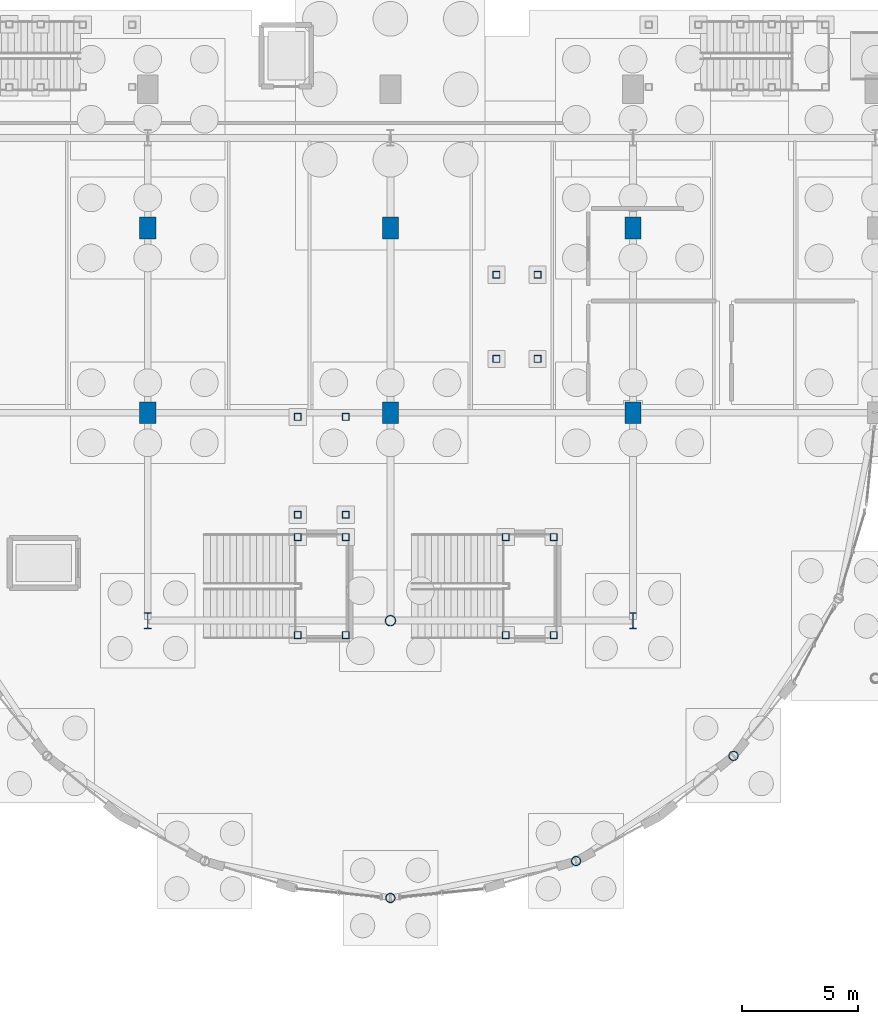
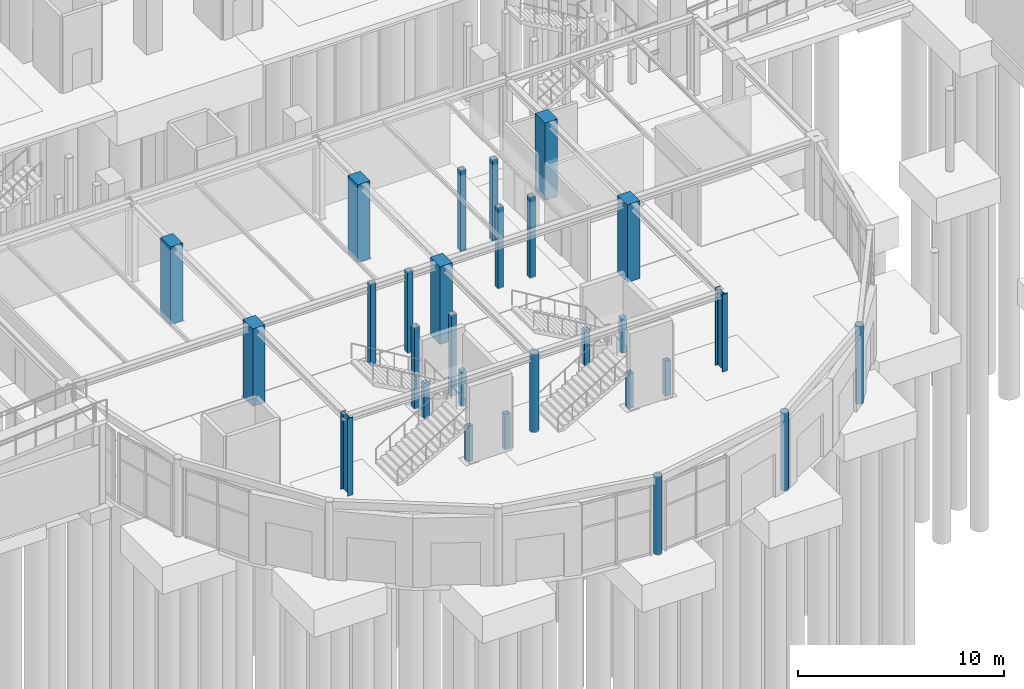
# One storey, part 15 of 160: 28 columns.
"""IFC4 building model written with IfcOpenShell, lengths in metres."""

from ifc_helpers import new_model, si_unit, direction, frame, origin, origin_2d, place, context, subcontext, project, spatial, rectangle, hollow_rectangle, hollow_circle, i_section, extrude, material, material_profile, profile_set, type_object, element, save


model = new_model("IFC4")

# Units and contexts
model_context = context("Model", 3, precision=1e-05, world=origin(), true_north=direction((0.0, 1.0)))
body_context = subcontext(model_context, "Body", "Model", "MODEL_VIEW")
ifc_project = project(units=[si_unit("LENGTHUNIT", "METRE"), si_unit("AREAUNIT", "SQUARE_METRE"), si_unit("VOLUMEUNIT", "CUBIC_METRE"), si_unit("PLANEANGLEUNIT", "RADIAN"), si_unit("MASSUNIT", "GRAM", prefix="KILO")], contexts=[model_context])

# Site, building, storey
site_placement = place(None, origin())
site = spatial("IfcSite", under=ifc_project, at=site_placement, CompositionType="ELEMENT")
building_placement = place(site_placement, origin())
building = spatial("IfcBuilding", under=site, at=building_placement, Name="Marlcrest Central Station", CompositionType="ELEMENT")
storey_placement = place(building_placement, origin())
storey = spatial("IfcBuildingStorey", under=building, at=storey_placement, Name="L00", CompositionType="ELEMENT", Elevation=0.0)

# Columns
ifc_material_1 = material(Name="Concrete C50/60", Category="concrete")
ifc_material_profile_1 = material_profile(ifc_material_1, rectangle(XDim=0.699951171875, YDim=0.949951171875, at=origin_2d()), Name="RC 700x950")
ifc_profile_set_1 = profile_set([ifc_material_profile_1], Name="Concrete C50/60")
column_type_1 = type_object("IfcColumnType", Name="RC-10", PredefinedType="COLUMN", material=ifc_profile_set_1)
for number, where, z_axis, x_axis, name in (
    (1, (97.5, 22.5, 0.0), (0.0, 0.0, 1.0), (1.0, 0.0, 0.0), "col-RC-10-L00-0669"),
    (2, (108.0, 22.5, 0.0), (0.0, 0.0, 1.0), (1.0, 0.0, 0.0), "col-RC-10-L00-0671"),
    (3, (118.5, 22.5, 0.0), (0.0, 0.0, 1.0), (1.0, 0.0, 0.0), "col-RC-10-L00-0673"),
    (4, (97.5, 30.5, 0.0), (0.0, 0.0, 1.0), (1.0, 0.0, 0.0), "col-RC-10-L00-0687"),
    (5, (108.0, 30.5, 0.0), (0.0, 0.0, 1.0), (1.0, 0.0, 0.0), "col-RC-10-L00-0689"),
    (6, (118.5, 30.5, 0.0), (0.0, 0.0, 1.0), (1.0, 0.0, 0.0), "col-RC-10-L00-0691"),
):
    element("IfcColumn", number, at=place(storey_placement, frame(where, z_axis=z_axis, x_axis=x_axis)), inside=storey, type_object=column_type_1, Name=name, PredefinedType="COLUMN", context=body_context, shape_type="SweptSolid", body=[
        extrude(rectangle(XDim=0.699951171875, YDim=0.949951171875, at=origin_2d()), origin(), (0.0, 0.0, 1.0), 4.610107421875),
    ])
ifc_material_2 = material(Name="Steel S355", Category="steel")
ifc_material_profile_2 = material_profile(ifc_material_2, i_section(OverallWidth=0.300048828125, OverallDepth=0.699951171875, WebThickness=0.01708984375, FlangeThickness=0.031982421875, FilletRadius=0.027099609375, at=origin_2d()), Name="HEB 700")
ifc_profile_set_2 = profile_set([ifc_material_profile_2], Name="Steel S355")
column_type_2 = type_object("IfcColumnType", Name="SC-07", PredefinedType="COLUMN", material=ifc_profile_set_2)
for number, where, z_axis, x_axis, name in (
    (7, (97.5, 13.5, 0.0), (0.0, 0.0, 1.0), (1.0, 0.0, 0.0), "col-SC-07-L00-0815"),
    (8, (118.5, 13.5, 0.0), (0.0, 0.0, 1.0), (1.0, 0.0, 0.0), "col-SC-07-L00-0823"),
):
    element("IfcColumn", number, at=place(storey_placement, frame(where, z_axis=z_axis, x_axis=x_axis)), inside=storey, type_object=column_type_2, Name=name, PredefinedType="COLUMN", context=body_context, shape_type="SweptSolid", body=[
        extrude(i_section(OverallWidth=0.300048828125, OverallDepth=0.699951171875, WebThickness=0.01708984375, FlangeThickness=0.031982421875, FilletRadius=0.027099609375, at=origin_2d()), origin(), (0.0, 0.0, 1.0), 4.60498046875),
    ])
ifc_material_profile_3 = material_profile(ifc_material_2, hollow_circle(Radius=0.203125, WallThickness=0.02001953125, at=origin_2d()), Name="CHS 406.4x20")
ifc_profile_set_3 = profile_set([ifc_material_profile_3], Name="Steel S355")
column_type_3 = type_object("IfcColumnType", Name="SC-10", PredefinedType="COLUMN", material=ifc_profile_set_3)
for number, where, z_axis, x_axis, name in (
    (9, (108.0, 1.5, 0.0), (0.0, 0.0, 1.0), (1.0, 0.0, 0.0), "col-SC-10-L00-0799"),
    (10, (116.035888671875, 3.09912109375, 0.0), (0.0, 0.0, 1.0), (1.0, 0.0, 0.0), "col-SC-10-L00-0803"),
    (11, (122.84912109375, 7.65087890625, 0.0), (0.0, 0.0, 1.0), (1.0, 0.0, 0.0), "col-SC-10-L00-0807"),
):
    element("IfcColumn", number, at=place(storey_placement, frame(where, z_axis=z_axis, x_axis=x_axis)), inside=storey, type_object=column_type_3, Name=name, PredefinedType="COLUMN", context=body_context, shape_type="SweptSolid", body=[
        extrude(hollow_circle(Radius=0.203125, WallThickness=0.02001953125, at=origin_2d()), origin(), (0.0, 0.0, 1.0), 4.610107421875),
    ])
ifc_material_profile_4 = material_profile(ifc_material_2, hollow_circle(Radius=0.228515625, WallThickness=0.02001953125, at=origin_2d()), Name="CHS 457x20")
ifc_profile_set_4 = profile_set([ifc_material_profile_4], Name="Steel S355")
column_type_4 = type_object("IfcColumnType", Name="SC-11", PredefinedType="COLUMN", material=ifc_profile_set_4)
column_placement = place(storey_placement, frame((108.0, 13.5, 0.0), z_axis=(0.0, 0.0, 1.0), x_axis=(1.0, 0.0, 0.0)))
element("IfcColumn", 12, at=column_placement, inside=storey, type_object=column_type_4, Name="col-SC-11-L00-0819", PredefinedType="COLUMN", context=body_context, shape_type="SweptSolid", body=[
    extrude(hollow_circle(Radius=0.228515625, WallThickness=0.02001953125, at=origin_2d()), origin(), (0.0, 0.0, 1.0), 4.60498046875),
])
ifc_material_profile_5 = material_profile(ifc_material_2, hollow_rectangle(XDim=0.300048828125, YDim=0.300048828125, WallThickness=0.01611328125, at=origin_2d()), Name="SHS 300x300x16")
ifc_profile_set_5 = profile_set([ifc_material_profile_5], Name="Steel S355")
column_type_5 = type_object("IfcColumnType", Name="SC-19", PredefinedType="COLUMN", material=ifc_profile_set_5)
for number, where, z_axis, x_axis, name in (
    (13, (103.989990234375, 12.8798828125, 0.0), (0.0, 0.0, 1.0), (1.0, 0.0, 0.0), "htcol-lo-0031-0"),
    (14, (106.070068359375, 12.8798828125, 0.0), (0.0, 0.0, 1.0), (1.0, 0.0, 0.0), "htcol-lo-0031-1"),
    (15, (106.070068359375, 17.1201171875, 0.0), (0.0, 0.0, 1.0), (1.0, 0.0, 0.0), "htcol-lo-0031-2"),
    (16, (103.989990234375, 17.1201171875, 0.0), (0.0, 0.0, 1.0), (1.0, 0.0, 0.0), "htcol-lo-0031-3"),
    (17, (112.989990234375, 12.8798828125, 0.0), (0.0, 0.0, 1.0), (1.0, 0.0, 0.0), "htcol-lo-0032-0"),
    (18, (115.070068359375, 12.8798828125, 0.0), (0.0, 0.0, 1.0), (1.0, 0.0, 0.0), "htcol-lo-0032-1"),
    (19, (115.070068359375, 17.1201171875, 0.0), (0.0, 0.0, 1.0), (1.0, 0.0, 0.0), "htcol-lo-0032-2"),
    (20, (112.989990234375, 17.1201171875, 0.0), (0.0, 0.0, 1.0), (1.0, 0.0, 0.0), "htcol-lo-0032-3"),
):
    element("IfcColumn", number, at=place(storey_placement, frame(where, z_axis=z_axis, x_axis=x_axis)), inside=storey, type_object=column_type_5, Name=name, PredefinedType="COLUMN", context=body_context, shape_type="SweptSolid", body=[
        extrude(hollow_rectangle(XDim=0.300048828125, YDim=0.300048828125, WallThickness=0.01611328125, at=origin_2d()), origin(), (0.0, 0.0, 1.0), 2.080078125),
    ])
for number, where, z_axis, x_axis, name in (
    (21, (103.989990234375, 18.080078125, 0.0), (0.0, 0.0, 1.0), (1.0, 0.0, 0.0), "htcol-s11-0033-0"),
    (22, (106.070068359375, 18.080078125, 0.0), (0.0, 0.0, 1.0), (1.0, 0.0, 0.0), "htcol-s11-0033-1"),
    (23, (106.070068359375, 22.320068359375, 0.0), (0.0, 0.0, 1.0), (1.0, 0.0, 0.0), "htcol-s11-0033-2"),
    (24, (103.989990234375, 22.320068359375, 0.0), (0.0, 0.0, 1.0), (1.0, 0.0, 0.0), "htcol-s11-0033-3"),
    (25, (112.590087890625, 24.830078125, 0.0), (0.0, 0.0, 1.0), (1.0, 0.0, 0.0), "htcol-L00-0035-0"),
    (26, (114.3701171875, 24.830078125, 0.0), (0.0, 0.0, 1.0), (1.0, 0.0, 0.0), "htcol-L00-0035-1"),
    (27, (114.3701171875, 28.469970703125, 0.0), (0.0, 0.0, 1.0), (1.0, 0.0, 0.0), "htcol-L00-0035-2"),
    (28, (112.590087890625, 28.469970703125, 0.0), (0.0, 0.0, 1.0), (1.0, 0.0, 0.0), "htcol-L00-0035-3"),
):
    element("IfcColumn", number, at=place(storey_placement, frame(where, z_axis=z_axis, x_axis=x_axis)), inside=storey, type_object=column_type_5, Name=name, PredefinedType="COLUMN", context=body_context, shape_type="SweptSolid", body=[
        extrude(hollow_rectangle(XDim=0.300048828125, YDim=0.300048828125, WallThickness=0.01611328125, at=origin_2d()), origin(), (0.0, 0.0, 1.0), 4.800048828125),
    ])

save(model, "model.ifc")
